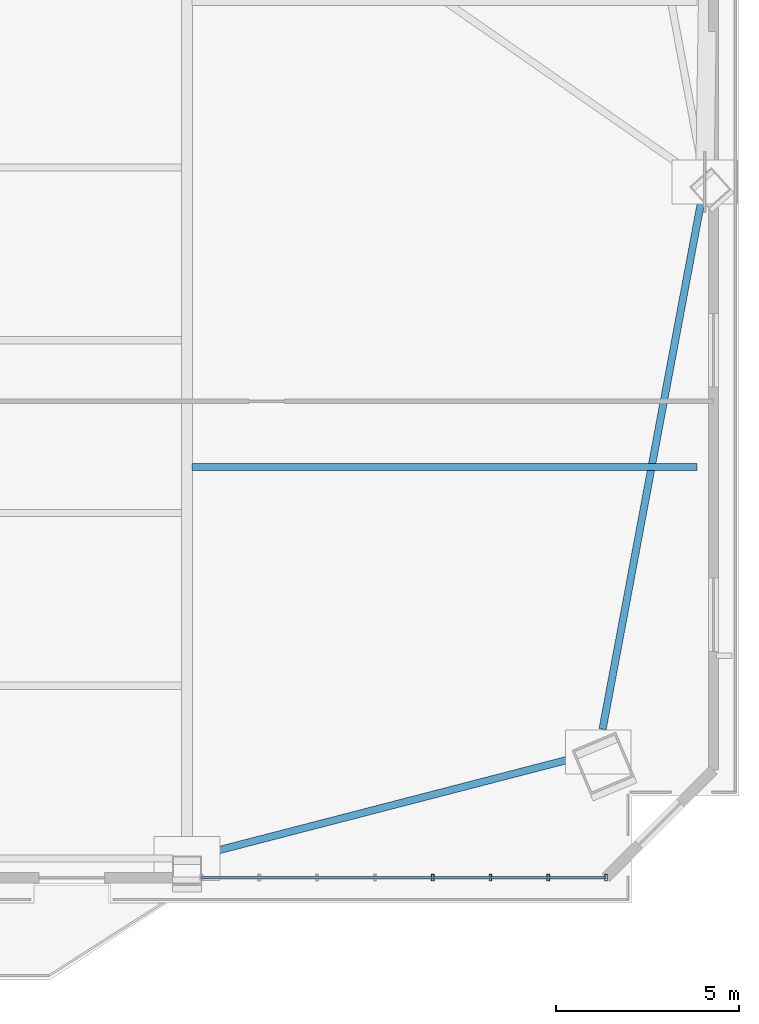
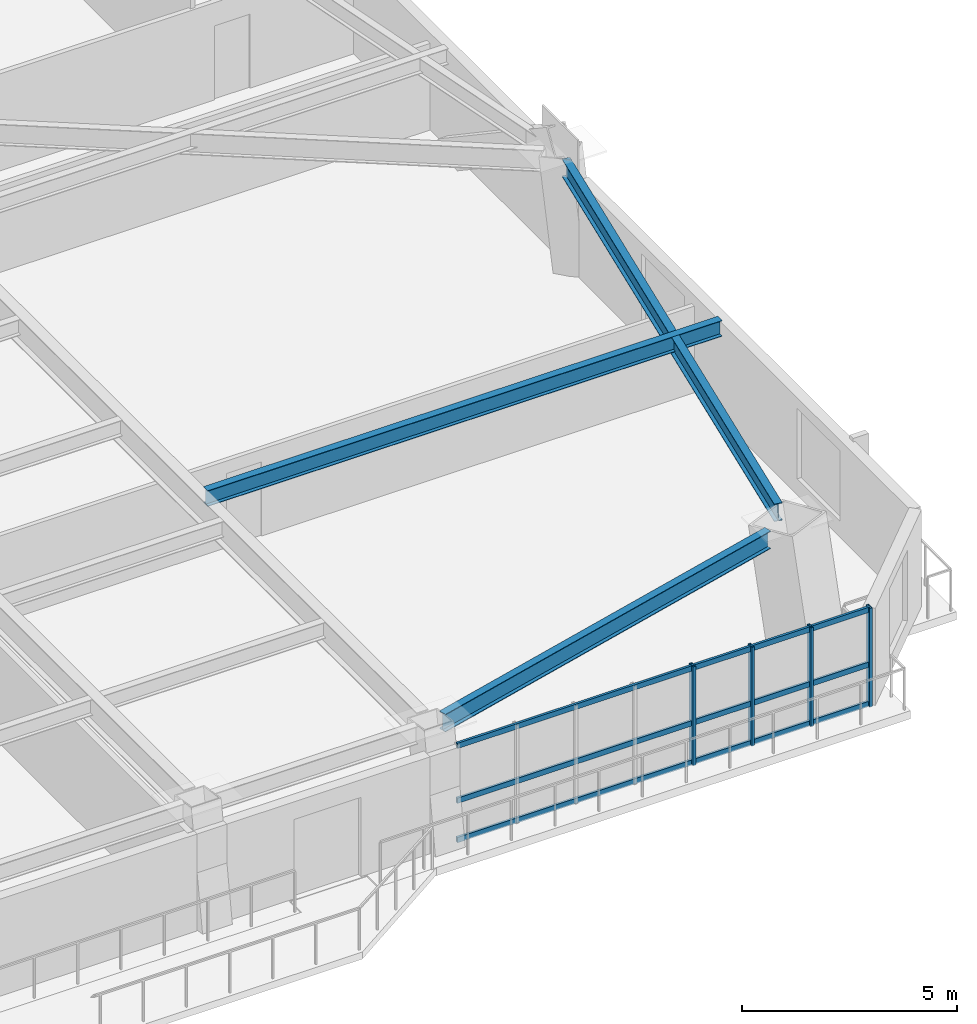
# One storey, part 5 of 15: 7 members, 3 beams, 1 element without a shape of its own.
"""IFC4 building model written with IfcOpenShell, lengths in metres."""

import ifcopenshell
import ifcopenshell.guid

model = None  # the IFC model being written
_history = None  # IfcOwnerHistory: only IFC2X3 demands one
_inside = {}  # id of a spatial element -> (the spatial element, [elements in it])
_under = {}  # id of a project, library or spatial element -> (it, [spatial elements below it])
_declared = {}  # id of a project -> (the project, [libraries it declares])
_typed = {}  # id of a type object -> (the type object, [elements of that type])
_made_of = {}  # id of a material, layer set ... -> (it, [elements and type objects made of it])


def new_model(schema):
    """Start an empty IFC model of exactly this schema.

    Asked for "IFC4X3", IfcOpenShell would pick the latest addendum, in which some entities
    have other attributes; the version numbers below select the first issue.
    IFC2X3 requires an IfcOwnerHistory on every rooted entity: one is made here for all.
    """
    global model, _history
    if schema == "IFC4X3":
        model = ifcopenshell.file(schema_version=(4, 3, 0, 0))
    else:
        model = ifcopenshell.file(schema=schema)
    _inside.clear()
    _under.clear()
    _declared.clear()
    _typed.clear()
    _made_of.clear()
    _history = None
    if model.schema == "IFC2X3":
        org = make("IfcOrganization", Name="unknown")
        user = make(
            "IfcPersonAndOrganization",
            ThePerson=make("IfcPerson", FamilyName="unknown"),
            TheOrganization=org,
        )
        app = make(
            "IfcApplication",
            ApplicationDeveloper=org,
            Version="unknown",
            ApplicationFullName="unknown",
            ApplicationIdentifier="unknown",
        )
        _history = make(
            "IfcOwnerHistory",
            OwningUser=user,
            OwningApplication=app,
            ChangeAction="ADDED",
            CreationDate=0,
        )
    return model


def make(cls, **values):
    """One entity of the class cls with the attributes given. An attribute that is None is left unset."""
    return model.create_entity(
        cls, **{name: value for name, value in values.items() if value is not None}
    )


def rooted(cls, **values):
    """An entity with a GlobalId (a new one), such as an element, a storey or a relation."""
    return make(cls, GlobalId=ifcopenshell.guid.new(), OwnerHistory=_history, **values)


def si_unit(unit_type, name, prefix=None):
    """IfcSIUnit, for example si_unit("LENGTHUNIT", "METRE", prefix="MILLI")."""
    return make("IfcSIUnit", UnitType=unit_type, Prefix=prefix, Name=name)


def assignment(units):
    """IfcUnitAssignment: the units of a project."""
    return None if units is None else make("IfcUnitAssignment", Units=units)


def point(xyz):
    """IfcCartesianPoint."""
    return None if xyz is None else make("IfcCartesianPoint", Coordinates=xyz)


def direction(xyz):
    """IfcDirection."""
    return None if xyz is None else make("IfcDirection", DirectionRatios=xyz)


def frame(location, z_axis=None, x_axis=None):
    """IfcAxis2Placement3D, a coordinate frame: its origin and axes. An axis left out is left unset."""
    return make(
        "IfcAxis2Placement3D",
        Location=point(location),
        Axis=direction(z_axis),
        RefDirection=direction(x_axis),
    )


def frame_2d(location, x_axis=None):
    """IfcAxis2Placement2D, a coordinate frame in the plane: its origin and x axis."""
    return make(
        "IfcAxis2Placement2D", Location=point(location), RefDirection=direction(x_axis)
    )


def origin():
    """The frame at (0, 0, 0) with its axes left unset."""
    return frame((0.0, 0.0, 0.0))


def origin_2d():
    """The frame at (0, 0) in the plane with its x axis left unset."""
    return frame_2d((0.0, 0.0))


def place(relative_to, where):
    """IfcLocalPlacement: puts the frame where relative to a parent placement (None: the world)."""
    return make(
        "IfcLocalPlacement", PlacementRelTo=relative_to, RelativePlacement=where
    )


def context(
    kind, dimensions, precision=None, world=None, true_north=None, identifier=None
):
    """IfcGeometricRepresentationContext, for example the 3D "Model" context."""
    return make(
        "IfcGeometricRepresentationContext",
        ContextIdentifier=identifier,
        ContextType=kind,
        CoordinateSpaceDimension=dimensions,
        Precision=precision,
        WorldCoordinateSystem=world,
        TrueNorth=true_north,
    )


def subcontext(parent, identifier, kind, view, scale=None):
    """IfcGeometricRepresentationSubContext, for example "Body" below "Model"."""
    return make(
        "IfcGeometricRepresentationSubContext",
        ContextIdentifier=identifier,
        ContextType=kind,
        ParentContext=parent,
        TargetScale=scale,
        TargetView=view,
    )


def project(units=None, contexts=None):
    """IfcProject with its units and contexts."""
    return rooted(
        "IfcProject",
        Name="project",
        RepresentationContexts=contexts,
        UnitsInContext=assignment(units),
    )


def spatial(cls, under=None, at=None, **own):
    """A site, building, storey or space (cls), placed at a placement, below another one or the project."""
    s = rooted(cls, ObjectPlacement=at, **own)
    if under is not None:
        _under.setdefault(under.id(), (under, []))[1].append(s)
    return s


def profile(cls, at=None, kind="AREA", **sizes):
    """A parametric profile (cls). Its sizes go by their IFC names, for example OverallWidth=200.0."""
    return make(cls, ProfileType=kind, Position=at, **sizes)


def hollow_rectangle(**sizes):
    """IfcRectangleHollowProfileDef."""
    return profile("IfcRectangleHollowProfileDef", **sizes)


def i_section(**sizes):
    """IfcIShapeProfileDef."""
    return profile("IfcIShapeProfileDef", **sizes)


def extrude(swept, where, along, depth):
    """IfcExtrudedAreaSolid: the profile swept, set in the frame where, extruded along a direction by depth."""
    return make(
        "IfcExtrudedAreaSolid",
        SweptArea=swept,
        Position=where,
        ExtrudedDirection=direction(along),
        Depth=depth,
    )


def shape(context_of_items, identifier, shape_type, items):
    """IfcShapeRepresentation: the items that make up one representation, for example the "Body"."""
    return make(
        "IfcShapeRepresentation",
        ContextOfItems=context_of_items,
        RepresentationIdentifier=identifier,
        RepresentationType=shape_type,
        Items=items,
    )


def source(mapping_origin, context_of_items, identifier, shape_type, items):
    """IfcRepresentationMap: a shape defined once, which mapped items show again and again."""
    return make(
        "IfcRepresentationMap",
        MappingOrigin=mapping_origin,
        MappedRepresentation=shape(context_of_items, identifier, shape_type, items),
    )


def transform(
    local_origin,
    x_axis=None,
    y_axis=None,
    z_axis=None,
    scale=None,
    scale2=None,
    scale3=None,
    uniform=True,
):
    """IfcCartesianTransformationOperator3D, or its non-uniform kind. x_axis, y_axis, z_axis: its Axis1, 2, 3."""
    if uniform:
        return make(
            "IfcCartesianTransformationOperator3D",
            Axis1=direction(x_axis),
            Axis2=direction(y_axis),
            LocalOrigin=point(local_origin),
            Scale=scale,
            Axis3=direction(z_axis),
        )
    return make(
        "IfcCartesianTransformationOperator3DnonUniform",
        Axis1=direction(x_axis),
        Axis2=direction(y_axis),
        LocalOrigin=point(local_origin),
        Scale=scale,
        Axis3=direction(z_axis),
        Scale2=scale2,
        Scale3=scale3,
    )


def mapped(mapping_source, mapping_target):
    """IfcMappedItem: shows the shape of a source again, moved by a transform."""
    return make(
        "IfcMappedItem", MappingSource=mapping_source, MappingTarget=mapping_target
    )


def material(Name=None, Category=None):
    """IfcMaterial."""
    return make("IfcMaterial", Name=Name, Category=Category)


def layer(
    of_material, thickness, ventilated=None, Name=None, Category=None, Priority=None
):
    """IfcMaterialLayer: one layer of a wall or slab, of a material (None: an air gap)."""
    return make(
        "IfcMaterialLayer",
        Material=of_material,
        LayerThickness=thickness,
        IsVentilated=ventilated,
        Name=Name,
        Category=Category,
        Priority=Priority,
    )


def layer_set(layers, Name=None):
    """IfcMaterialLayerSet."""
    return make("IfcMaterialLayerSet", MaterialLayers=layers, LayerSetName=Name)


def material_profile(
    of_material, cross_section, Name=None, Category=None, Priority=None
):
    """IfcMaterialProfile: a cross section and its material."""
    return make(
        "IfcMaterialProfile",
        Name=Name,
        Material=of_material,
        Profile=cross_section,
        Priority=Priority,
        Category=Category,
    )


def profile_set(profiles, Name=None, composite=None):
    """IfcMaterialProfileSet."""
    return make(
        "IfcMaterialProfileSet",
        Name=Name,
        MaterialProfiles=profiles,
        CompositeProfile=composite,
    )


def made_of(thing, what):
    """Note that an element or type object is made of a material, layer set ...; save() writes the relation."""
    if what is not None:
        _made_of.setdefault(what.id(), (what, []))[1].append(thing)
    return thing


def type_object(cls, material=None, **own):
    """A type object (cls), such as IfcWallType, which elements share."""
    return made_of(rooted(cls, **own), material)


def element(
    cls,
    number,
    at=None,
    inside=None,
    cuts=None,
    type_object=None,
    material=None,
    context=None,
    identifier="Body",
    shape_type=None,
    held_by="IfcProductDefinitionShape",
    body=None,
    shapes=None,
    **own,
):
    """One element of the class cls, such as IfcWall. Its Tag is "e" and its number.

    at: its placement. inside: the storey or other place that contains it. cuts: it is an
    opening in that element (IfcRelVoidsElement). A single representation is given by context,
    identifier, shape_type and body (its items); several are given by shapes. held_by: the class
    of the entity that holds the representations. save() writes the other relations.
    """
    e = rooted(cls, Tag="e%d" % number, ObjectPlacement=at, **own)
    if body is not None:
        shapes = [shape(context, identifier, shape_type, body)]
    if shapes is not None:
        e.Representation = make(held_by, Representations=shapes)
    if inside is not None:
        _inside.setdefault(inside.id(), (inside, []))[1].append(e)
    if cuts is not None:
        rooted(
            "IfcRelVoidsElement", RelatingBuildingElement=cuts, RelatedOpeningElement=e
        )
    if type_object is not None:
        _typed.setdefault(type_object.id(), (type_object, []))[1].append(e)
    return made_of(e, material)


def aggregate(whole, parts):
    """IfcRelAggregates: a whole, such as a stair, and the parts it consists of."""
    return rooted("IfcRelAggregates", RelatingObject=whole, RelatedObjects=parts)


def save(model, path):
    """Write the relations noted so far, then the file.

    IfcRelAggregates (storeys below a building ...), IfcRelContainedInSpatialStructure (elements
    in a storey), IfcRelDefinesByType, IfcRelAssociatesMaterial and IfcRelDeclares: one each for
    every whole, place, type object, material and project.
    """
    for whole, parts in _under.values():
        aggregate(whole, parts)
    for where, things in _inside.values():
        rooted(
            "IfcRelContainedInSpatialStructure",
            RelatedElements=things,
            RelatingStructure=where,
        )
    for kind, things in _typed.values():
        rooted("IfcRelDefinesByType", RelatedObjects=things, RelatingType=kind)
    for what, things in _made_of.values():
        rooted("IfcRelAssociatesMaterial", RelatedObjects=things, RelatingMaterial=what)
    for by, libraries in _declared.values():
        rooted("IfcRelDeclares", RelatingContext=by, RelatedDefinitions=libraries)
    model.write(path)


model = new_model("IFC4")

# Units and contexts
model_context = context("Model", 3, precision=1e-05, world=origin(), true_north=direction((0.0, 1.0)))
body_context = subcontext(model_context, "Body", "Model", "MODEL_VIEW")
ifc_project = project(units=[si_unit("LENGTHUNIT", "METRE"), si_unit("AREAUNIT", "SQUARE_METRE"), si_unit("VOLUMEUNIT", "CUBIC_METRE"), si_unit("PLANEANGLEUNIT", "RADIAN"), si_unit("MASSUNIT", "GRAM", prefix="KILO")], contexts=[model_context])

# Site, building, storey
site_placement = place(None, origin())
site = spatial("IfcSite", under=ifc_project, at=site_placement, CompositionType="ELEMENT")
building_placement = place(site_placement, origin())
building = spatial("IfcBuilding", under=site, at=building_placement, Name="Giltprow Tower", CompositionType="ELEMENT")
storey_placement = place(building_placement, frame((0.0, 0.0, 156.199951171875)))
storey = spatial("IfcBuildingStorey", under=building, at=storey_placement, Name="L38", CompositionType="ELEMENT", Elevation=156.199951171875)

# Beams
ifc_material_1 = material(Name="Structural steel Q355B", Category="steel")
ifc_material_profile_1 = material_profile(ifc_material_1, i_section(OverallWidth=0.199951171875, OverallDepth=0.5, WebThickness=0.010009765625, FlangeThickness=0.01611328125, at=origin_2d()), Name="HN 500x200x10x16")
ifc_profile_set_1 = profile_set([ifc_material_profile_1], Name="Structural steel Q355B")
beam_type_1 = type_object("IfcBeamType", Name="BM-SPAN-HN500", PredefinedType="SPANDREL", material=ifc_profile_set_1)
shared_shape_1 = source(origin(), body_context, "Body", "SweptSolid", [
    extrude(i_section(OverallWidth=0.199951171875, OverallDepth=0.5, WebThickness=0.010009765625, FlangeThickness=0.01611328125, at=origin_2d()), origin(), (0.0, 0.0, 1.0), 10.603515625),
])
beam_1_placement = place(storey_placement, frame((50.923095703125, 9.194091796875, 3.02001953125), z_axis=(0.96807267562, 0.25066969246, 0.0), x_axis=(-0.25066969246, 0.96807267562, 0.0)))
element("IfcBeam", 1, at=beam_1_placement, inside=storey, type_object=beam_type_1, Name="L38 Perimeter Spandrel Beam S4-MC_SE", PredefinedType="SPANDREL", context=body_context, shape_type="MappedRepresentation", body=[
    mapped(shared_shape_1, transform((0.0, 0.0, 0.0), x_axis=(1.0, 0.0, 0.0), y_axis=(0.0, 1.0, 0.0), z_axis=(0.0, 0.0, 1.0), scale=1.0)),
])
shared_shape_2 = source(origin(), body_context, "Body", "SweptSolid", [
    extrude(i_section(OverallWidth=0.199951171875, OverallDepth=0.5, WebThickness=0.010009765625, FlangeThickness=0.01611328125, at=origin_2d()), origin(), (0.0, 0.0, 1.0), 14.83837890625),
])
beam_2_placement = place(storey_placement, frame((61.919921875, 12.635009765625, 3.02001953125), z_axis=(0.183652712761, 0.982991190752, 0.0), x_axis=(-0.982991190752, 0.183652712761, 0.0)))
element("IfcBeam", 2, at=beam_2_placement, inside=storey, type_object=beam_type_1, Name="L38 Perimeter Spandrel Beam MC_SE-E_MID", PredefinedType="SPANDREL", context=body_context, shape_type="MappedRepresentation", body=[
    mapped(shared_shape_2, transform((0.0, 0.0, 0.0), x_axis=(1.0, 0.0, 0.0), y_axis=(0.0, 1.0, 0.0), z_axis=(0.0, 0.0, 1.0), scale=1.0)),
])
ifc_material_profile_2 = material_profile(ifc_material_1, i_section(OverallWidth=0.199951171875, OverallDepth=0.449951171875, WebThickness=0.009033203125, FlangeThickness=0.013916015625, at=origin_2d()), Name="HN 450x200x9x14")
ifc_profile_set_2 = profile_set([ifc_material_profile_2], Name="Structural steel Q355B")
beam_type_2 = type_object("IfcBeamType", Name="BM-JOIST-HN450", PredefinedType="JOIST", material=ifc_profile_set_2)
shared_shape_3 = source(origin(), body_context, "Body", "SweptSolid", [
    extrude(i_section(OverallWidth=0.199951171875, OverallDepth=0.449951171875, WebThickness=0.009033203125, FlangeThickness=0.013916015625, at=origin_2d()), origin(), (0.0, 0.0, 1.0), 13.801025390625),
])
beam_3_placement = place(storey_placement, frame((50.695068359375, 19.804931640625, 3.045166015625), z_axis=(1.0, 0.0, 0.0), x_axis=(0.0, 1.0, 0.0)))
element("IfcBeam", 3, at=beam_3_placement, inside=storey, type_object=beam_type_2, Name="L38 East Wing Floor Joist 1", PredefinedType="JOIST", context=body_context, shape_type="MappedRepresentation", body=[
    mapped(shared_shape_3, transform((0.0, 0.0, 0.0), x_axis=(1.0, 0.0, 0.0), y_axis=(0.0, 1.0, 0.0), z_axis=(0.0, 0.0, 1.0), scale=1.0)),
])

# Curtain wall, members
ifc_material_2 = material(Name="Anodized bronze", Category="metal")
ifc_layer = layer(ifc_material_2, 0.179931640625, Name="Anodized bronze")
ifc_layer_set = layer_set([ifc_layer], Name="Anodized bronze")
curtain_wall_type = type_object("IfcCurtainWallType", Name="CW-HTL-BRONZE", PredefinedType="NOTDEFINED", material=ifc_layer_set)
curtain_wall_placement = place(storey_placement, origin())
curtain_wall = element("IfcCurtainWall", 4, at=curtain_wall_placement, inside=storey, type_object=curtain_wall_type, Name="L38 South Recessed Curtain Wall 6", PredefinedType="NOTDEFINED")
ifc_material_profile_3 = material_profile(ifc_material_2, hollow_rectangle(XDim=0.074951171875, YDim=0.179931640625, WallThickness=0.008056640625, at=origin_2d()), Name="RHS 180x75x8")
ifc_profile_set_3 = profile_set([ifc_material_profile_3], Name="Anodized bronze")
member_type_1 = type_object("IfcMemberType", Name="CW-MULLION-180x75", PredefinedType="MULLION", material=ifc_profile_set_3)
shared_shape_4 = source(origin(), body_context, "Body", "SweptSolid", [
    extrude(hollow_rectangle(XDim=0.074951171875, YDim=0.179931640625, WallThickness=0.008056640625, at=origin_2d()), origin(), (0.0, 0.0, 1.0), 2.80517578125),
])
member_1_placement = place(storey_placement, frame((57.27099609375, 8.572021484375, -0.02001953125), z_axis=(0.0, 0.0, 1.0), x_axis=(1.0, 0.0, 0.0)))
member_1 = element("IfcMember", 5, at=member_1_placement, type_object=member_type_1, Name="L38 South Recessed Curtain Wall 6 Mullion 5", PredefinedType="MULLION", context=body_context, shape_type="MappedRepresentation", body=[
    mapped(shared_shape_4, transform((0.0, 0.0, 0.0), x_axis=(1.0, 0.0, 0.0), y_axis=(0.0, 1.0, 0.0), z_axis=(0.0, 0.0, 1.0), scale=1.0)),
])
member_2_placement = place(storey_placement, frame((58.85107421875, 8.572021484375, -0.02001953125), z_axis=(0.0, 0.0, 1.0), x_axis=(1.0, 0.0, 0.0)))
member_2 = element("IfcMember", 6, at=member_2_placement, type_object=member_type_1, Name="L38 South Recessed Curtain Wall 6 Mullion 6", PredefinedType="MULLION", context=body_context, shape_type="MappedRepresentation", body=[
    mapped(shared_shape_4, transform((0.0, 0.0, 0.0), x_axis=(1.0, 0.0, 0.0), y_axis=(0.0, 1.0, 0.0), z_axis=(0.0, 0.0, 1.0), scale=1.0)),
])
member_3_placement = place(storey_placement, frame((60.431884765625, 8.572021484375, -0.02001953125), z_axis=(0.0, 0.0, 1.0), x_axis=(1.0, 0.0, 0.0)))
member_3 = element("IfcMember", 7, at=member_3_placement, type_object=member_type_1, Name="L38 South Recessed Curtain Wall 6 Mullion 7", PredefinedType="MULLION", context=body_context, shape_type="MappedRepresentation", body=[
    mapped(shared_shape_4, transform((0.0, 0.0, 0.0), x_axis=(1.0, 0.0, 0.0), y_axis=(0.0, 1.0, 0.0), z_axis=(0.0, 0.0, 1.0), scale=1.0)),
])
member_4_placement = place(storey_placement, frame((62.011962890625, 8.572021484375, -0.02001953125), z_axis=(0.0, 0.0, 1.0), x_axis=(1.0, 0.0, 0.0)))
member_4 = element("IfcMember", 8, at=member_4_placement, type_object=member_type_1, Name="L38 South Recessed Curtain Wall 6 Mullion 8", PredefinedType="MULLION", context=body_context, shape_type="MappedRepresentation", body=[
    mapped(shared_shape_4, transform((0.0, 0.0, 0.0), x_axis=(1.0, 0.0, 0.0), y_axis=(0.0, 1.0, 0.0), z_axis=(0.0, 0.0, 1.0), scale=1.0)),
])
ifc_material_profile_4 = material_profile(ifc_material_2, hollow_rectangle(XDim=0.06494140625, YDim=0.14990234375, WallThickness=0.006103515625, at=origin_2d()), Name="RHS 150x65x6")
ifc_profile_set_4 = profile_set([ifc_material_profile_4], Name="Anodized bronze")
member_type_2 = type_object("IfcMemberType", Name="CW-TRANSOM-150x65", PredefinedType="USERDEFINED", material=ifc_profile_set_4)
shared_shape_5 = source(origin(), body_context, "Body", "SweptSolid", [
    extrude(hollow_rectangle(XDim=0.06494140625, YDim=0.14990234375, WallThickness=0.006103515625, at=origin_2d()), origin(), (0.0, 0.0, 1.0), 11.06201171875),
])
member_5_placement = place(storey_placement, frame((50.949951171875, 8.572021484375, 0.0400390625), z_axis=(1.0, 0.0, 0.0), x_axis=(0.0, 1.0, 0.0)))
member_5 = element("IfcMember", 9, at=member_5_placement, type_object=member_type_2, Name="L38 South Recessed Curtain Wall 6 Transom 1", ObjectType="TRANSOM", PredefinedType="USERDEFINED", context=body_context, shape_type="MappedRepresentation", body=[
    mapped(shared_shape_5, transform((0.0, 0.0, 0.0), x_axis=(1.0, 0.0, 0.0), y_axis=(0.0, 1.0, 0.0), z_axis=(0.0, 0.0, 1.0), scale=1.0)),
])
member_6_placement = place(storey_placement, frame((50.949951171875, 8.572021484375, 1.155029296875), z_axis=(1.0, 0.0, 0.0), x_axis=(0.0, 1.0, 0.0)))
member_6 = element("IfcMember", 10, at=member_6_placement, type_object=member_type_2, Name="L38 South Recessed Curtain Wall 6 Transom 2", ObjectType="TRANSOM", PredefinedType="USERDEFINED", context=body_context, shape_type="MappedRepresentation", body=[
    mapped(shared_shape_5, transform((0.0, 0.0, 0.0), x_axis=(1.0, 0.0, 0.0), y_axis=(0.0, 1.0, 0.0), z_axis=(0.0, 0.0, 1.0), scale=1.0)),
])
member_7_placement = place(storey_placement, frame((50.949951171875, 8.572021484375, 2.7099609375), z_axis=(1.0, 0.0, 0.0), x_axis=(0.0, 1.0, 0.0)))
member_7 = element("IfcMember", 11, at=member_7_placement, type_object=member_type_2, Name="L38 South Recessed Curtain Wall 6 Transom 3", ObjectType="TRANSOM", PredefinedType="USERDEFINED", context=body_context, shape_type="MappedRepresentation", body=[
    mapped(shared_shape_5, transform((0.0, 0.0, 0.0), x_axis=(1.0, 0.0, 0.0), y_axis=(0.0, 1.0, 0.0), z_axis=(0.0, 0.0, 1.0), scale=1.0)),
])
aggregate(curtain_wall, [member_1, member_2, member_3, member_4, member_5, member_6, member_7])

save(model, "model.ifc")
